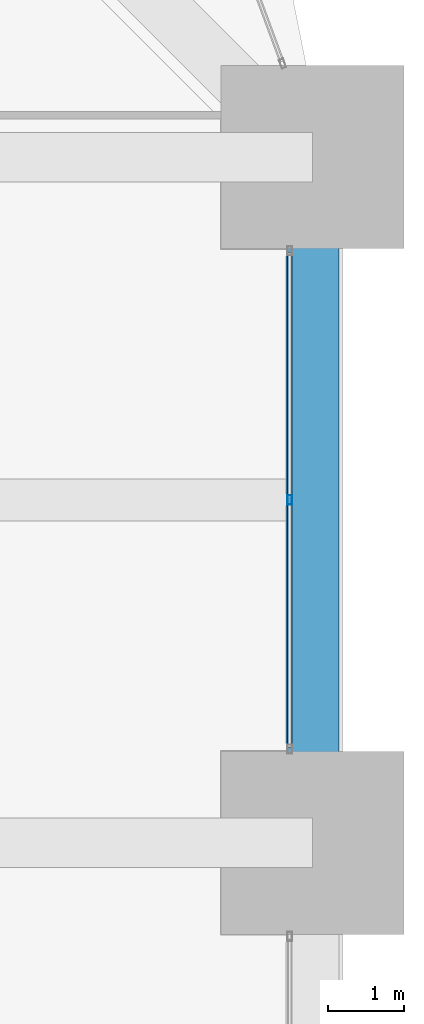
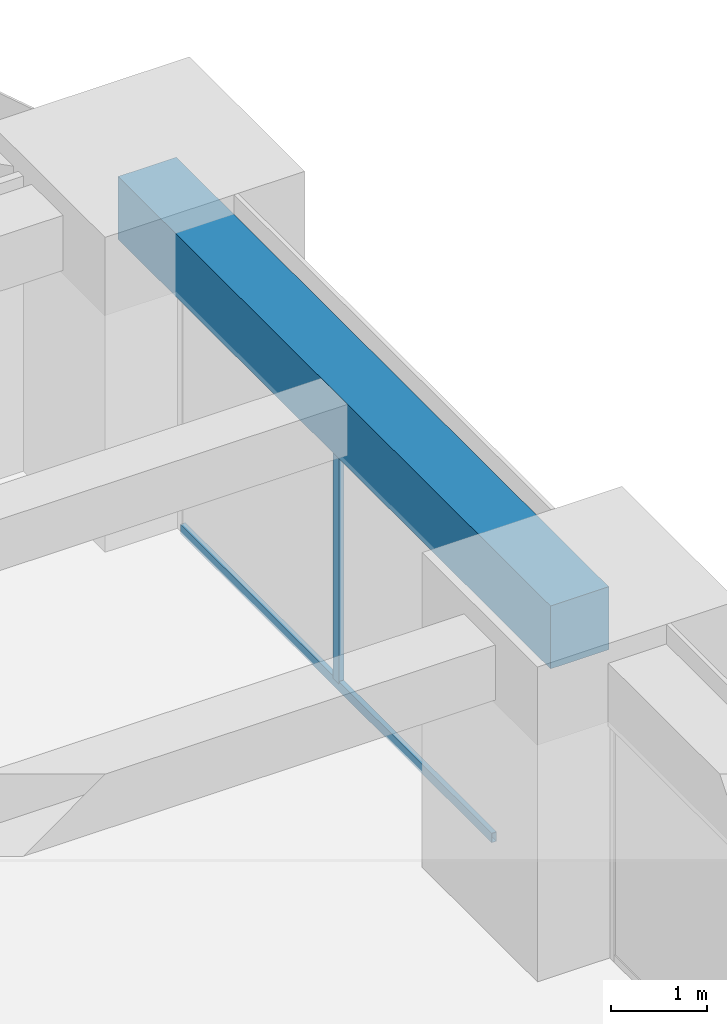
# One storey, part 27 of 45: 2 members, 1 beam, 1 element without a shape of its own.
"""IFC4 building model written with IfcOpenShell, lengths in metres."""

from ifc_helpers import new_model, si_unit, direction, frame, origin, origin_2d, place, context, subcontext, project, spatial, rectangle, hollow_rectangle, extrude, material, material_profile, profile_set, type_object, element, aggregate, save


model = new_model("IFC4")

# Units and contexts
model_context = context("Model", 3, precision=1e-05, world=origin(), true_north=direction((0.0, 1.0)))
body_context = subcontext(model_context, "Body", "Model", "MODEL_VIEW")
ifc_project = project(units=[si_unit("LENGTHUNIT", "METRE"), si_unit("AREAUNIT", "SQUARE_METRE"), si_unit("VOLUMEUNIT", "CUBIC_METRE"), si_unit("PLANEANGLEUNIT", "RADIAN"), si_unit("MASSUNIT", "GRAM", prefix="KILO")], contexts=[model_context])

# Site, building, storey
site_placement = place(None, origin())
site = spatial("IfcSite", under=ifc_project, at=site_placement, CompositionType="ELEMENT")
building_placement = place(site_placement, origin())
building = spatial("IfcBuilding", under=site, at=building_placement, Name="Zorevar Civic Tower", CompositionType="ELEMENT")
storey_placement = place(building_placement, frame((0.0, 0.0, 247.39990234375)))
storey = spatial("IfcBuildingStorey", under=building, at=storey_placement, Name="L60", CompositionType="ELEMENT", Elevation=247.39990234375)

# Curtain wall, members
ifc_material_1 = material(Name="Dark grey solar-control glass in black aluminium frame", Category="aluminium")
curtain_wall_type = type_object("IfcCurtainWallType", Name="Curtain wall CW5 top zone", PredefinedType="NOTDEFINED", material=ifc_material_1)
curtain_wall_placement = place(storey_placement, origin())
curtain_wall = element("IfcCurtainWall", 1, at=curtain_wall_placement, inside=storey, type_object=curtain_wall_type, Name="CW5 L60", PredefinedType="NOTDEFINED")
ifc_material_2 = material(Name="Aluminium, black anodised", Category="aluminium")
ifc_material_profile_1 = material_profile(ifc_material_2, hollow_rectangle(XDim=0.06005859375, YDim=0.1201171875, WallThickness=0.0029296875, at=origin_2d()), Name="AL 120x60x3")
ifc_profile_set_1 = profile_set([ifc_material_profile_1], Name="Aluminium, black anodised")
member_type_1 = type_object("IfcMemberType", Name="CW5 mullion AL 120x60x3", PredefinedType="MULLION", material=ifc_profile_set_1)
member_1_placement = place(storey_placement, frame((53.699951171875, 31.5, 0.06005859375), z_axis=(0.0, 0.0, 1.0), x_axis=(-1.0, 0.0, 0.0)))
member_1 = element("IfcMember", 2, at=member_1_placement, type_object=member_type_1, Name="CW5 mullion 2", PredefinedType="MULLION", context=body_context, shape_type="SweptSolid", body=[
    extrude(hollow_rectangle(XDim=0.06005859375, YDim=0.1201171875, WallThickness=0.0029296875, at=origin_2d()), origin(), (0.0, 0.0, 1.0), 2.89013671875),
])
ifc_material_3 = material(Name="Aluminium, black anodised", Category="aluminium")
ifc_material_profile_2 = material_profile(ifc_material_3, hollow_rectangle(XDim=0.06005859375, YDim=0.1201171875, WallThickness=0.0029296875, at=origin_2d()), Name="AL 120x60x3")
ifc_profile_set_2 = profile_set([ifc_material_profile_2], Name="Aluminium, black anodised")
member_type_2 = type_object("IfcMemberType", Name="CW5 transom AL 120x60x3", PredefinedType="USERDEFINED", material=ifc_profile_set_2)
member_2_placement = place(storey_placement, frame((53.699951171875, 28.260009765625, 0.030029296875), z_axis=(0.0, 1.0, 0.0), x_axis=(-1.0, 0.0, 0.0)))
member_2 = element("IfcMember", 3, at=member_2_placement, type_object=member_type_2, Name="CW5 sill transom", ObjectType="TRANSOM", PredefinedType="USERDEFINED", context=body_context, shape_type="SweptSolid", body=[
    extrude(hollow_rectangle(XDim=0.06005859375, YDim=0.1201171875, WallThickness=0.0029296875, at=origin_2d()), origin(), (0.0, 0.0, 1.0), 6.47998046875),
])
aggregate(curtain_wall, [member_1, member_2])

# Beam
ifc_material_4 = material(Name="Concrete C50/60", Category="concrete")
ifc_material_profile_3 = material_profile(ifc_material_4, rectangle(XDim=0.699951171875, YDim=0.800048828125, at=origin_2d()), Name="RC 700x800")
ifc_profile_set_3 = profile_set([ifc_material_profile_3], Name="Concrete C50/60")
beam_type = type_object("IfcBeamType", Name="Edge beam RC 700x800", PredefinedType="SPANDREL", material=ifc_profile_set_3)
beam_placement = place(storey_placement, frame((54.0, 27.0, 3.35009765625), z_axis=(0.0, 1.0, 0.0), x_axis=(-1.0, 0.0, 0.0)))
element("IfcBeam", 4, at=beam_placement, inside=storey, type_object=beam_type, Name="Edge beam L61", PredefinedType="SPANDREL", context=body_context, shape_type="SweptSolid", body=[
    extrude(rectangle(XDim=0.699951171875, YDim=0.800048828125, at=origin_2d()), origin(), (0.0, 0.0, 1.0), 9.0),
])

save(model, "model.ifc")
